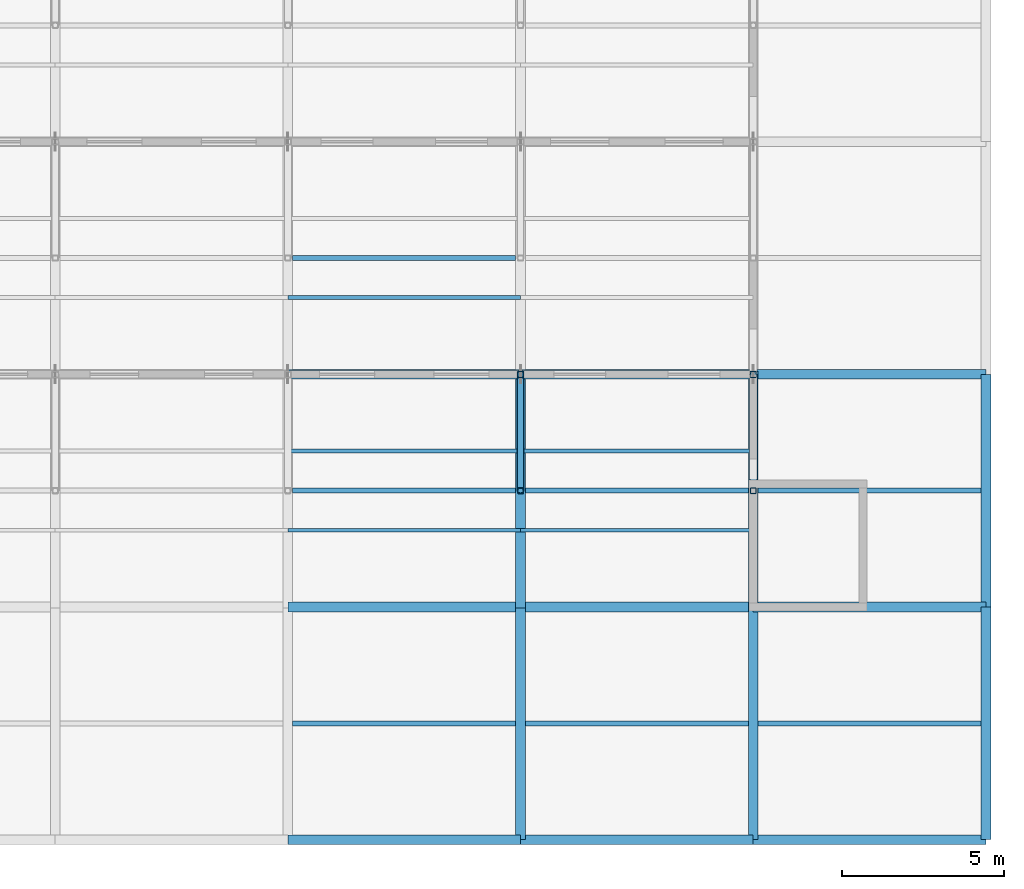
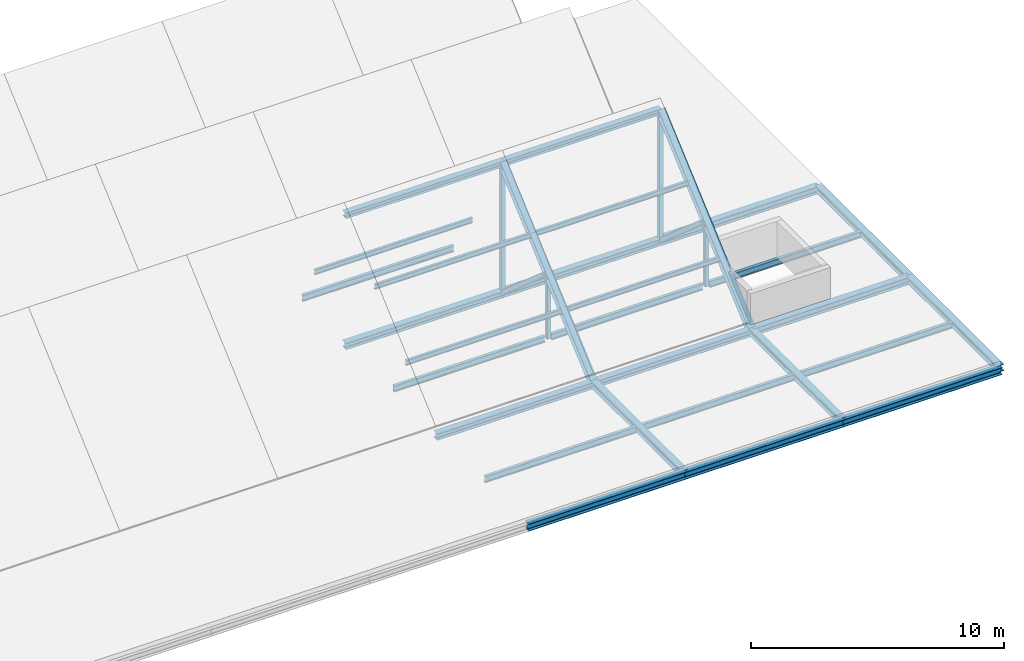
# One storey, part 9 of 31: 27 beams, 8 members.
"""IFC4 building model written with IfcOpenShell, lengths in metres."""

from ifc_helpers import new_model, si_unit, direction, frame, origin, origin_2d, place, context, subcontext, project, spatial, hollow_rectangle, hollow_circle, i_section, extrude, material, material_profile, profile_set, type_object, element, save


model = new_model("IFC4")

# Units and contexts
model_context = context("Model", 3, precision=1e-05, world=origin(), true_north=direction((0.0, 1.0)))
body_context = subcontext(model_context, "Body", "Model", "MODEL_VIEW")
ifc_project = project(units=[si_unit("LENGTHUNIT", "METRE"), si_unit("AREAUNIT", "SQUARE_METRE"), si_unit("VOLUMEUNIT", "CUBIC_METRE"), si_unit("PLANEANGLEUNIT", "RADIAN"), si_unit("MASSUNIT", "GRAM", prefix="KILO")], contexts=[model_context])

# Site, building, storey
site_placement = place(None, origin())
site = spatial("IfcSite", under=ifc_project, at=site_placement, CompositionType="ELEMENT")
building_placement = place(site_placement, origin())
building = spatial("IfcBuilding", under=site, at=building_placement, Name="Zlatovets Crest Museum", CompositionType="ELEMENT")
storey_placement = place(building_placement, frame((0.0, 0.0, 25.199951171875)))
storey = spatial("IfcBuildingStorey", under=building, at=storey_placement, Name="L05", CompositionType="ELEMENT", Elevation=25.199951171875)

# Beams
ifc_material = material(Name="Structural steel S355J2", Category="steel")
ifc_material_profile_1 = material_profile(ifc_material, i_section(OverallWidth=0.300048828125, OverallDepth=0.35009765625, WebThickness=0.010009765625, FlangeThickness=0.017578125, FilletRadius=0.027099609375, at=origin_2d()), Name="HEA 360")
ifc_profile_set_1 = profile_set([ifc_material_profile_1], Name="Structural steel S355J2")
beam_type_1 = type_object("IfcBeamType", Name="Beam_B-03", PredefinedType="BEAM", material=ifc_profile_set_1)
beam_1_placement = place(storey_placement, frame((86.39990234375, 0.0, -0.39501953125), z_axis=(1.0, 0.0, 0.0), x_axis=(0.0, 1.0, 0.0)))
element("IfcBeam", 1, at=beam_1_placement, inside=storey, type_object=beam_type_1, Name="V2 L05 Primary Girder B-03", PredefinedType="BEAM", context=body_context, shape_type="SweptSolid", body=[
    extrude(i_section(OverallWidth=0.300048828125, OverallDepth=0.35009765625, WebThickness=0.010009765625, FlangeThickness=0.017578125, FilletRadius=0.027099609375, at=origin_2d()), origin(), (0.0, 0.0, 1.0), 7.2001953125),
])
for number, where, z_axis, x_axis, name in (
    (2, (93.60009765625, 0.0, -0.39501953125), (1.0, 0.0, 0.0), (0.0, 1.0, 0.0), "V2 L05 Primary Girder B-03"),
    (3, (100.800048828125, 0.0, -0.39501953125), (1.0, 0.0, 0.0), (0.0, 1.0, 0.0), "V2 L05 Primary Girder B-03"),
    (4, (100.800048828125, 7.199951171875, -0.39501953125), (1.0, 0.0, 0.0), (0.0, 1.0, 0.0), "V2 L05 Primary Girder B-03"),
    (5, (100.800048828125, 14.39990234375, -0.39501953125), (1.0, 0.0, 0.0), (0.0, 1.0, 0.0), "V2 L05 Primary Girder B-03"),
):
    element("IfcBeam", number, at=place(storey_placement, frame(where, z_axis=z_axis, x_axis=x_axis)), inside=storey, type_object=beam_type_1, Name=name, PredefinedType="BEAM", context=body_context, shape_type="SweptSolid", body=[
        extrude(i_section(OverallWidth=0.300048828125, OverallDepth=0.35009765625, WebThickness=0.010009765625, FlangeThickness=0.017578125, FilletRadius=0.027099609375, at=origin_2d()), origin(), (0.0, 0.0, 1.0), 7.199951171875),
    ])
ifc_material_profile_2 = material_profile(ifc_material, i_section(OverallWidth=0.300048828125, OverallDepth=0.31005859375, WebThickness=0.009033203125, FlangeThickness=0.015380859375, FilletRadius=0.027099609375, at=origin_2d()), Name="HEA 320")
ifc_profile_set_2 = profile_set([ifc_material_profile_2], Name="Structural steel S355J2")
beam_type_2 = type_object("IfcBeamType", Name="Beam_B-04", PredefinedType="BEAM", material=ifc_profile_set_2)
for number, where, z_axis, x_axis, name in (
    (6, (93.60009765625, 0.0, -0.375), (0.0, 1.0, 0.0), (-1.0, 0.0, 0.0), "V2 L05 Grid Beam B-04"),
    (7, (100.800048828125, 0.0, -0.375), (0.0, 1.0, 0.0), (-1.0, 0.0, 0.0), "V2 L05 Grid Beam B-04"),
    (8, (108.0, 0.0, -0.375), (0.0, 1.0, 0.0), (-1.0, 0.0, 0.0), "V2 L05 Grid Beam B-04"),
    (9, (108.0, 7.199951171875, -0.375), (0.0, 1.0, 0.0), (-1.0, 0.0, 0.0), "V2 L05 Grid Beam B-04"),
):
    element("IfcBeam", number, at=place(storey_placement, frame(where, z_axis=z_axis, x_axis=x_axis)), inside=storey, type_object=beam_type_2, Name=name, PredefinedType="BEAM", context=body_context, shape_type="SweptSolid", body=[
        extrude(i_section(OverallWidth=0.300048828125, OverallDepth=0.31005859375, WebThickness=0.009033203125, FlangeThickness=0.015380859375, FilletRadius=0.027099609375, at=origin_2d()), origin(), (0.0, 0.0, 1.0), 7.199951171875),
    ])
for number, where, z_axis, x_axis, name in (
    (10, (86.39990234375, 7.199951171875, -0.39990234375), (1.0, 0.0, 0.0), (0.0, 1.0, 0.0), "V2 Sawtooth South Eave Valley Girder"),
    (11, (86.39990234375, 14.39990234375, -0.39990234375), (1.0, 0.0, 0.0), (0.0, 1.0, 0.0), "V2 Sawtooth Tooth 1 Valley / Clerestory Sill Girder"),
):
    element("IfcBeam", number, at=place(storey_placement, frame(where, z_axis=z_axis, x_axis=x_axis)), inside=storey, type_object=beam_type_2, Name=name, PredefinedType="BEAM", context=body_context, shape_type="SweptSolid", body=[
        extrude(i_section(OverallWidth=0.300048828125, OverallDepth=0.31005859375, WebThickness=0.009033203125, FlangeThickness=0.015380859375, FilletRadius=0.027099609375, at=origin_2d()), origin(), (0.0, 0.0, 1.0), 7.2001953125),
    ])
for number, where, z_axis, x_axis, name in (
    (12, (93.60009765625, 7.199951171875, -0.39990234375), (1.0, 0.0, 0.0), (0.0, 1.0, 0.0), "V2 Sawtooth South Eave Valley Girder"),
    (13, (93.60009765625, 14.39990234375, -0.39990234375), (1.0, 0.0, 0.0), (0.0, 1.0, 0.0), "V2 Sawtooth Tooth 1 Valley / Clerestory Sill Girder"),
):
    element("IfcBeam", number, at=place(storey_placement, frame(where, z_axis=z_axis, x_axis=x_axis)), inside=storey, type_object=beam_type_2, Name=name, PredefinedType="BEAM", context=body_context, shape_type="SweptSolid", body=[
        extrude(i_section(OverallWidth=0.300048828125, OverallDepth=0.31005859375, WebThickness=0.009033203125, FlangeThickness=0.015380859375, FilletRadius=0.027099609375, at=origin_2d()), origin(), (0.0, 0.0, 1.0), 7.199951171875),
    ])
ifc_material_profile_3 = material_profile(ifc_material, i_section(OverallWidth=0.280029296875, OverallDepth=0.27001953125, WebThickness=0.008056640625, FlangeThickness=0.012939453125, FilletRadius=0.02392578125, at=origin_2d()), Name="HEA 280")
ifc_profile_set_3 = profile_set([ifc_material_profile_3], Name="Structural steel S355J2")
beam_type_3 = type_object("IfcBeamType", Name="Beam_B-05", PredefinedType="BEAM", material=ifc_profile_set_3)
beam_2_placement = place(storey_placement, frame((86.39990234375, 14.39990234375, 5.8857421875), z_axis=(1.0, 0.0, 0.0), x_axis=(0.0, 1.0, 0.0)))
element("IfcBeam", 14, at=beam_2_placement, inside=storey, type_object=beam_type_3, Name="V2 Sawtooth Tooth 1 Ridge Girder", PredefinedType="BEAM", context=body_context, shape_type="SweptSolid", body=[
    extrude(i_section(OverallWidth=0.280029296875, OverallDepth=0.27001953125, WebThickness=0.008056640625, FlangeThickness=0.012939453125, FilletRadius=0.02392578125, at=origin_2d()), origin(), (0.0, 0.0, 1.0), 7.2001953125),
])
beam_3_placement = place(storey_placement, frame((93.60009765625, 14.39990234375, 5.8857421875), z_axis=(1.0, 0.0, 0.0), x_axis=(0.0, 1.0, 0.0)))
element("IfcBeam", 15, at=beam_3_placement, inside=storey, type_object=beam_type_3, Name="V2 Sawtooth Tooth 1 Ridge Girder", PredefinedType="BEAM", context=body_context, shape_type="SweptSolid", body=[
    extrude(i_section(OverallWidth=0.280029296875, OverallDepth=0.27001953125, WebThickness=0.008056640625, FlangeThickness=0.012939453125, FilletRadius=0.02392578125, at=origin_2d()), origin(), (0.0, 0.0, 1.0), 7.199951171875),
])
ifc_material_profile_4 = material_profile(ifc_material, i_section(OverallWidth=0.14990234375, OverallDepth=0.300048828125, WebThickness=0.007080078125, FlangeThickness=0.0107421875, FilletRadius=0.014892578125, at=origin_2d()), Name="IPE 300")
ifc_profile_set_4 = profile_set([ifc_material_profile_4], Name="Structural steel S355J2")
beam_type_4 = type_object("IfcBeamType", Name="Beam_J-02", PredefinedType="JOIST", material=ifc_profile_set_4)
for number, where, z_axis, x_axis, name in (
    (16, (86.550048828125, 3.60009765625, -0.369873046875), (1.0, 0.0, 0.0), (0.0, 1.0, 0.0), "V2 L05 Composite Joist J-02"),
    (17, (86.550048828125, 10.800048828125, -0.369873046875), (1.0, 0.0, 0.0), (0.0, 1.0, 0.0), "V2 L05 Composite Joist J-02"),
    (18, (86.550048828125, 18.0, -0.369873046875), (1.0, 0.0, 0.0), (0.0, 1.0, 0.0), "V2 L05 Composite Joist J-02"),
    (19, (93.75, 3.60009765625, -0.369873046875), (1.0, 0.0, 0.0), (0.0, 1.0, 0.0), "V2 L05 Composite Joist J-02"),
    (20, (93.75, 10.800048828125, -0.369873046875), (1.0, 0.0, 0.0), (0.0, 1.0, 0.0), "V2 L05 Composite Joist J-02"),
):
    element("IfcBeam", number, at=place(storey_placement, frame(where, z_axis=z_axis, x_axis=x_axis)), inside=storey, type_object=beam_type_4, Name=name, PredefinedType="JOIST", context=body_context, shape_type="SweptSolid", body=[
        extrude(i_section(OverallWidth=0.14990234375, OverallDepth=0.300048828125, WebThickness=0.007080078125, FlangeThickness=0.0107421875, FilletRadius=0.014892578125, at=origin_2d()), origin(), (0.0, 0.0, 1.0), 6.89990234375),
    ])
for number, where, z_axis, x_axis, name in (
    (21, (100.949951171875, 3.60009765625, -0.369873046875), (1.0, 0.0, 0.0), (0.0, 1.0, 0.0), "V2 L05 Composite Joist J-02"),
    (22, (100.949951171875, 10.800048828125, -0.369873046875), (1.0, 0.0, 0.0), (0.0, 1.0, 0.0), "V2 L05 Composite Joist J-02"),
):
    element("IfcBeam", number, at=place(storey_placement, frame(where, z_axis=z_axis, x_axis=x_axis)), inside=storey, type_object=beam_type_4, Name=name, PredefinedType="JOIST", context=body_context, shape_type="SweptSolid", body=[
        extrude(i_section(OverallWidth=0.14990234375, OverallDepth=0.300048828125, WebThickness=0.007080078125, FlangeThickness=0.0107421875, FilletRadius=0.014892578125, at=origin_2d()), origin(), (0.0, 0.0, 1.0), 6.900146484375),
    ])
ifc_material_profile_5 = material_profile(ifc_material, i_section(OverallWidth=0.1201171875, OverallDepth=0.239990234375, WebThickness=0.006103515625, FlangeThickness=0.009765625, FilletRadius=0.014892578125, at=origin_2d()), Name="IPE 240")
ifc_profile_set_5 = profile_set([ifc_material_profile_5], Name="Structural steel S355J2")
beam_type_5 = type_object("IfcBeamType", Name="Beam_PR-01", PredefinedType="BEAM", material=ifc_profile_set_5)
for number, where, z_axis, x_axis, name in (
    (23, (86.39990234375, 9.575927734375, 1.672607421875), (1.0, 0.0, 0.0), (0.0, 1.0, 0.0), "V2 Sawtooth Tooth 1 Purlin PR-01"),
    (24, (86.39990234375, 12.02392578125, 3.8486328125), (1.0, 0.0, 0.0), (0.0, 1.0, 0.0), "V2 Sawtooth Tooth 1 Purlin PR-01"),
):
    element("IfcBeam", number, at=place(storey_placement, frame(where, z_axis=z_axis, x_axis=x_axis)), inside=storey, type_object=beam_type_5, Name=name, PredefinedType="BEAM", context=body_context, shape_type="SweptSolid", body=[
        extrude(i_section(OverallWidth=0.1201171875, OverallDepth=0.239990234375, WebThickness=0.006103515625, FlangeThickness=0.009765625, FilletRadius=0.014892578125, at=origin_2d()), origin(), (0.0, 0.0, 1.0), 7.2001953125),
    ])
for number, where, z_axis, x_axis, name in (
    (25, (93.60009765625, 9.575927734375, 1.672607421875), (1.0, 0.0, 0.0), (0.0, 1.0, 0.0), "V2 Sawtooth Tooth 1 Purlin PR-01"),
    (26, (93.60009765625, 12.02392578125, 3.8486328125), (1.0, 0.0, 0.0), (0.0, 1.0, 0.0), "V2 Sawtooth Tooth 1 Purlin PR-01"),
):
    element("IfcBeam", number, at=place(storey_placement, frame(where, z_axis=z_axis, x_axis=x_axis)), inside=storey, type_object=beam_type_5, Name=name, PredefinedType="BEAM", context=body_context, shape_type="SweptSolid", body=[
        extrude(i_section(OverallWidth=0.1201171875, OverallDepth=0.239990234375, WebThickness=0.006103515625, FlangeThickness=0.009765625, FilletRadius=0.014892578125, at=origin_2d()), origin(), (0.0, 0.0, 1.0), 7.199951171875),
    ])
beam_4_placement = place(storey_placement, frame((86.39990234375, 16.77587890625, 1.672607421875), z_axis=(1.0, 0.0, 0.0), x_axis=(0.0, 1.0, 0.0)))
element("IfcBeam", 27, at=beam_4_placement, inside=storey, type_object=beam_type_5, Name="V2 Sawtooth Tooth 2 Purlin PR-01", PredefinedType="BEAM", context=body_context, shape_type="SweptSolid", body=[
    extrude(i_section(OverallWidth=0.1201171875, OverallDepth=0.239990234375, WebThickness=0.006103515625, FlangeThickness=0.009765625, FilletRadius=0.014892578125, at=origin_2d()), origin(), (0.0, 0.0, 1.0), 7.2001953125),
])

# Members
ifc_material_profile_6 = material_profile(ifc_material, i_section(OverallWidth=0.300048828125, OverallDepth=0.31005859375, WebThickness=0.009033203125, FlangeThickness=0.015380859375, FilletRadius=0.027099609375, at=origin_2d()), Name="HEA 320")
ifc_profile_set_6 = profile_set([ifc_material_profile_6], Name="Structural steel S355J2")
member_type_1 = type_object("IfcMemberType", Name="Member_TM-02", PredefinedType="RAFTER", material=ifc_profile_set_6)
for number, where, z_axis, x_axis, name in (
    (28, (93.60009765625, 7.199951171875, -0.39990234375), (0.0, 0.753318349335, 0.65765603818), (-1.0, 0.0, 0.0), "V2 Sawtooth Tooth 1 Rafter Chord"),
    (29, (100.800048828125, 7.199951171875, -0.39990234375), (0.0, 0.753318349335, 0.65765603818), (-1.0, 0.0, 0.0), "V2 Sawtooth Tooth 1 Rafter Chord"),
):
    element("IfcMember", number, at=place(storey_placement, frame(where, z_axis=z_axis, x_axis=x_axis)), inside=storey, type_object=member_type_1, Name=name, PredefinedType="RAFTER", context=body_context, shape_type="SweptSolid", body=[
        extrude(i_section(OverallWidth=0.300048828125, OverallDepth=0.31005859375, WebThickness=0.009033203125, FlangeThickness=0.015380859375, FilletRadius=0.027099609375, at=origin_2d()), origin(), (0.0, 0.0, 1.0), 9.5576171875),
    ])
ifc_material_profile_7 = material_profile(ifc_material, hollow_rectangle(XDim=0.199951171875, YDim=0.199951171875, WallThickness=0.012451171875, InnerFilletRadius=0.012451171875, OuterFilletRadius=0.02490234375, at=origin_2d()), Name="SHS 200x200x12.5")
ifc_profile_set_7 = profile_set([ifc_material_profile_7], Name="Structural steel S355J2")
member_type_2 = type_object("IfcMemberType", Name="Member_TM-03", PredefinedType="BRACE", material=ifc_profile_set_7)
for number, where, z_axis, x_axis, name in (
    (30, (93.60009765625, 14.39990234375, -0.39990234375), (0.0, 0.0, 1.0), (1.0, 0.0, 0.0), "V2 Sawtooth Tooth 1 North-Light Post"),
    (31, (100.800048828125, 14.39990234375, -0.39990234375), (0.0, 0.0, 1.0), (1.0, 0.0, 0.0), "V2 Sawtooth Tooth 1 North-Light Post"),
):
    element("IfcMember", number, at=place(storey_placement, frame(where, z_axis=z_axis, x_axis=x_axis)), inside=storey, type_object=member_type_2, Name=name, PredefinedType="BRACE", context=body_context, shape_type="SweptSolid", body=[
        extrude(hollow_rectangle(XDim=0.199951171875, YDim=0.199951171875, WallThickness=0.012451171875, InnerFilletRadius=0.012451171875, OuterFilletRadius=0.02490234375, at=origin_2d()), origin(), (0.0, 0.0, 1.0), 6.28564453125),
    ])
ifc_material_profile_8 = material_profile(ifc_material, hollow_rectangle(XDim=0.179931640625, YDim=0.179931640625, WallThickness=0.010009765625, InnerFilletRadius=0.010009765625, OuterFilletRadius=0.02001953125, at=origin_2d()), Name="SHS 180x180x10.0")
ifc_profile_set_8 = profile_set([ifc_material_profile_8], Name="Structural steel S355J2")
member_type_3 = type_object("IfcMemberType", Name="Member_TM-04", PredefinedType="STRUT", material=ifc_profile_set_8)
for number, where, z_axis, x_axis, name in (
    (32, (93.60009765625, 10.800048828125, -0.39990234375), (0.0, 0.0, 1.0), (1.0, 0.0, 0.0), "V2 Sawtooth Tooth 1 Web Post"),
    (33, (100.800048828125, 10.800048828125, -0.39990234375), (0.0, 0.0, 1.0), (1.0, 0.0, 0.0), "V2 Sawtooth Tooth 1 Web Post"),
):
    element("IfcMember", number, at=place(storey_placement, frame(where, z_axis=z_axis, x_axis=x_axis)), inside=storey, type_object=member_type_3, Name=name, PredefinedType="STRUT", context=body_context, shape_type="SweptSolid", body=[
        extrude(hollow_rectangle(XDim=0.179931640625, YDim=0.179931640625, WallThickness=0.010009765625, InnerFilletRadius=0.010009765625, OuterFilletRadius=0.02001953125, at=origin_2d()), origin(), (0.0, 0.0, 1.0), 3.142822265625),
    ])
ifc_material_profile_9 = material_profile(ifc_material, hollow_circle(Radius=0.109619140625, WallThickness=0.010009765625, at=origin_2d()), Name="CHS 219.1x10.0")
ifc_profile_set_9 = profile_set([ifc_material_profile_9], Name="Structural steel S355J2")
member_type_4 = type_object("IfcMemberType", Name="Member_TM-05", PredefinedType="BRACE", material=ifc_profile_set_9)
for number, where, z_axis, x_axis, name in (
    (34, (93.60009765625, 10.800048828125, 2.742919921875), (0.0, 0.75330730094, -0.657668693455), (-1.0, 0.0, 0.0), "V2 Sawtooth Tooth 1 Web Diagonal"),
    (35, (100.800048828125, 10.800048828125, 2.742919921875), (0.0, 0.75330730094, -0.657668693455), (-1.0, 0.0, 0.0), "V2 Sawtooth Tooth 1 Web Diagonal"),
):
    element("IfcMember", number, at=place(storey_placement, frame(where, z_axis=z_axis, x_axis=x_axis)), inside=storey, type_object=member_type_4, Name=name, PredefinedType="BRACE", context=body_context, shape_type="SweptSolid", body=[
        extrude(hollow_circle(Radius=0.109619140625, WallThickness=0.010009765625, at=origin_2d()), origin(), (0.0, 0.0, 1.0), 4.77880859375),
    ])

save(model, "model.ifc")
